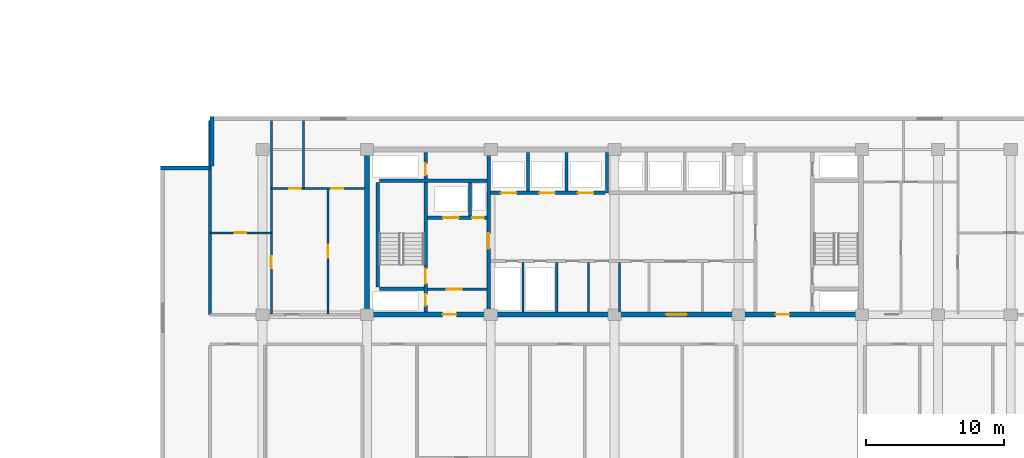
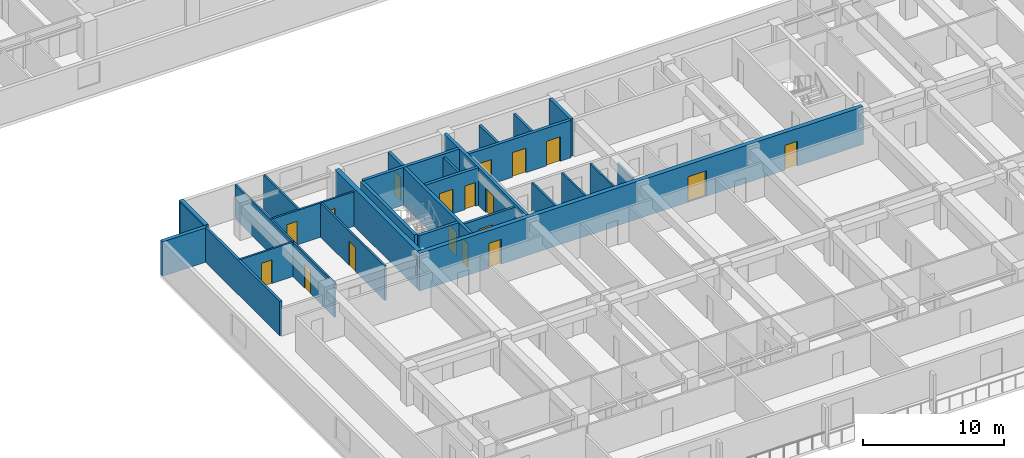
# One storey, part 6 of 23: 26 walls, 18 doors, 18 openings.
"""IFC4 building model written with IfcOpenShell, lengths in metres."""

from ifc_helpers import new_model, si_unit, direction, frame, frame_2d, origin, place, context, subcontext, project, spatial, rectangle, extrude, material, layer, layer_set, type_object, element, fill, save


model = new_model("IFC4")

# Units and contexts
model_context = context("Model", 3, precision=1e-05, world=origin(), true_north=direction((0.0, 1.0)))
body_context = subcontext(model_context, "Body", "Model", "MODEL_VIEW")
ifc_project = project(units=[si_unit("LENGTHUNIT", "METRE"), si_unit("AREAUNIT", "SQUARE_METRE"), si_unit("VOLUMEUNIT", "CUBIC_METRE"), si_unit("PLANEANGLEUNIT", "RADIAN"), si_unit("MASSUNIT", "GRAM", prefix="KILO")], contexts=[model_context])

# Site, building, storey
site_placement = place(None, origin())
site = spatial("IfcSite", under=ifc_project, at=site_placement, CompositionType="ELEMENT")
building_placement = place(site_placement, origin())
building = spatial("IfcBuilding", under=site, at=building_placement, Name="Korimba Cascade Residences", CompositionType="ELEMENT")
storey_placement = place(building_placement, frame((0.0, 0.0, 27.25)))
storey = spatial("IfcBuildingStorey", under=building, at=storey_placement, Name="L06", CompositionType="ELEMENT", Elevation=27.25)

# Walls
ifc_material_1 = material(Name="Precast concrete C40/50", Category="concrete")
ifc_layer_1 = layer(ifc_material_1, 0.300048828125)
ifc_layer_set_1 = layer_set([ifc_layer_1], Name="Precast concrete C40/50")
wall_type_1 = type_object("IfcWallType", Name="EW-STONE-300", PredefinedType="STANDARD", material=ifc_layer_set_1)
wall_1_placement = place(storey_placement, frame((70.85009765625, 32.800048828125, 0.0), z_axis=(0.0, 0.0, 1.0), x_axis=(0.0, -1.0, 0.0)))
element("IfcWall", 1, at=wall_1_placement, inside=storey, type_object=wall_type_1, Name="L06 T2 Perimeter Stone Wall E07", PredefinedType="STANDARD", context=body_context, shape_type="SweptSolid", body=[
    extrude(rectangle(XDim=3.60009765625, YDim=0.300048828125, at=frame_2d((1.800048828125, 0.0))), origin(), (0.0, 0.0, 1.0), 2.969970703125),
])
wall_2_placement = place(storey_placement, frame((70.699951171875, 29.050048828125, 0.0), z_axis=(0.0, 0.0, 1.0), x_axis=(-1.0, 0.0, 0.0)))
element("IfcWall", 2, at=wall_2_placement, inside=storey, type_object=wall_type_1, Name="L06 T2 Perimeter Stone Wall E08", PredefinedType="STANDARD", context=body_context, shape_type="SweptSolid", body=[
    extrude(rectangle(XDim=3.599853515625, YDim=0.300048828125, at=frame_2d((1.7998046875, 0.0))), origin(), (0.0, 0.0, 1.0), 2.969970703125),
])
ifc_material_2 = material(Name="Concrete C65/80", Category="concrete")
ifc_layer_2 = layer(ifc_material_2, 0.35009765625)
ifc_layer_set_2 = layer_set([ifc_layer_2], Name="Concrete C65/80")
wall_type_2 = type_object("IfcWallType", Name="WAL-CORE-350", PredefinedType="SHEAR", material=ifc_layer_set_2)
wall_3_placement = place(storey_placement, frame((82.10009765625, 18.574951171875, 0.0), z_axis=(0.0, 0.0, 1.0), x_axis=(0.0, 1.0, 0.0)))
element("IfcWall", 3, at=wall_3_placement, inside=storey, type_object=wall_type_2, Name="L06 Core Shear Wall CW-L06-T2-W", PredefinedType="SHEAR", context=body_context, shape_type="SweptSolid", body=[
    extrude(rectangle(XDim=11.650146484375, YDim=0.35009765625, at=frame_2d((5.8251953125, 0.0))), origin(), (0.0, 0.0, 1.0), 3.25),
])

# Wall, openings, doors
wall_4_placement = place(storey_placement, frame((81.925048828125, 18.39990234375, 0.0), z_axis=(0.0, 0.0, 1.0), x_axis=(1.0, 0.0, 0.0)))
wall_4 = element("IfcWall", 4, at=wall_4_placement, inside=storey, type_object=wall_type_2, Name="L06 Core Shear Wall CW-L06-T2-S", PredefinedType="SHEAR", context=body_context, shape_type="SweptSolid", body=[
    extrude(rectangle(XDim=36.264892578125, YDim=0.35009765625, at=frame_2d((18.13232421875, 0.0))), origin(), (0.0, 0.0, 1.0), 3.25),
])
opening_1_placement = place(wall_4_placement, frame((5.675048828125, 0.0, 0.0)))
opening_1 = element("IfcOpeningElement", 5, at=opening_1_placement, cuts=wall_4, Name="Opening D-FD5", PredefinedType="OPENING", context=body_context, shape_type="SweptSolid", body=[
    extrude(rectangle(XDim=1.0, YDim=2.14990234375, at=frame_2d((0.5, 1.074951171875))), frame((0.0, 0.18505859375, 0.0), z_axis=(0.0, -1.0, 0.0), x_axis=(1.0, 0.0, 0.0)), (0.0, 0.0, 1.0), 0.3701171875),
])
opening_2_placement = place(wall_4_placement, frame((21.925048828125, 0.0, 0.0)))
opening_2 = element("IfcOpeningElement", 6, at=opening_2_placement, cuts=wall_4, Name="Opening D-FD8", PredefinedType="OPENING", context=body_context, shape_type="SweptSolid", body=[
    extrude(rectangle(XDim=1.5, YDim=2.199951171875, at=frame_2d((0.75, 1.10009765625))), frame((0.0, 0.18505859375, 0.0), z_axis=(0.0, -1.0, 0.0), x_axis=(1.0, 0.0, 0.0)), (0.0, 0.0, 1.0), 0.3701171875),
])
opening_3_placement = place(wall_4_placement, frame((29.875, 0.0, 0.0)))
opening_3 = element("IfcOpeningElement", 7, at=opening_3_placement, cuts=wall_4, Name="Opening D-FD5", PredefinedType="OPENING", context=body_context, shape_type="SweptSolid", body=[
    extrude(rectangle(XDim=1.0, YDim=2.14990234375, at=frame_2d((0.5, 1.074951171875))), frame((0.0, 0.18505859375, 0.0), z_axis=(0.0, -1.0, 0.0), x_axis=(1.0, 0.0, 0.0)), (0.0, 0.0, 1.0), 0.3701171875),
])
ifc_material_3 = material(Name="Fire-Rated Acoustic Timber Vestibule Door", Category="wood")
door_type_1 = type_object("IfcDoorType", Name="DR-FD90-1000", OperationType="NOTDEFINED", PredefinedType="DOOR", material=ifc_material_3)
door_1_placement = place(opening_1_placement, origin())
door_1 = element("IfcDoor", 8, at=door_1_placement, inside=storey, type_object=door_type_1, Name="L06 T2 West Core Vestibule Fire Door", OperationType="SINGLE_SWING_RIGHT", OverallHeight=2.14990234375, OverallWidth=1.0, PredefinedType="DOOR", context=body_context, shape_type="SweptSolid", body=[
    extrude(rectangle(XDim=1.0, YDim=2.14990234375, at=frame_2d((0.5, 1.074951171875))), frame((0.0, 0.02490234375, 0.0), z_axis=(0.0, -1.0, 0.0), x_axis=(1.0, 0.0, 0.0)), (0.0, 0.0, 1.0), 0.050048828125),
])
fill(opening_1, door_1)
door_2_placement = place(opening_3_placement, origin())
door_2 = element("IfcDoor", 9, at=door_2_placement, inside=storey, type_object=door_type_1, Name="L06 T2 East Stair Vestibule Fire Door", OperationType="SINGLE_SWING_LEFT", OverallHeight=2.14990234375, OverallWidth=1.0, PredefinedType="DOOR", context=body_context, shape_type="SweptSolid", body=[
    extrude(rectangle(XDim=1.0, YDim=2.14990234375, at=frame_2d((0.5, 1.074951171875))), frame((0.0, 0.02490234375, 0.0), z_axis=(0.0, -1.0, 0.0), x_axis=(1.0, 0.0, 0.0)), (0.0, 0.0, 1.0), 0.050048828125),
])
fill(opening_3, door_2)
ifc_material_4 = material(Name="Fire-Rated Glazed Lift Lobby Double Door", Category="glass")
door_type_2 = type_object("IfcDoorType", Name="DR-FD90-1500", OperationType="NOTDEFINED", PredefinedType="DOOR", material=ifc_material_4)
door_3_placement = place(opening_2_placement, origin())
door_3 = element("IfcDoor", 10, at=door_3_placement, inside=storey, type_object=door_type_2, Name="L06 T2 Lift Lobby Fire Door", OperationType="DOUBLE_DOOR_SINGLE_SWING", OverallHeight=2.199951171875, OverallWidth=1.5, PredefinedType="DOOR", context=body_context, shape_type="SweptSolid", body=[
    extrude(rectangle(XDim=1.5, YDim=2.199951171875, at=frame_2d((0.75, 1.10009765625))), frame((0.0, 0.02490234375, 0.0), z_axis=(0.0, -1.0, 0.0), x_axis=(1.0, 0.0, 0.0)), (0.0, 0.0, 1.0), 0.050048828125),
])
fill(opening_2, door_3)

# Walls
ifc_layer_3 = layer(ifc_material_1, 0.199951171875)
ifc_layer_set_3 = layer_set([ifc_layer_3], Name="Precast concrete C40/50")
wall_type_3 = type_object("IfcWallType", Name="WAL-IT-200", PredefinedType="PARTITIONING", material=ifc_layer_set_3)
wall_5_placement = place(storey_placement, frame((70.699951171875, 18.39990234375, 0.0), z_axis=(0.0, 0.0, 1.0), x_axis=(0.0, 1.0, 0.0)))
element("IfcWall", 11, at=wall_5_placement, inside=storey, type_object=wall_type_3, Name="L06 Partition Wall WAL-L06-T2-FW-WL", PredefinedType="PARTITIONING", context=body_context, shape_type="SweptSolid", body=[
    extrude(rectangle(XDim=14.10009765625, YDim=0.199951171875, at=frame_2d((7.050048828125, 0.0))), origin(), (0.0, 0.0, 1.0), 2.969970703125),
])
ifc_material_5 = material(Name="Insulated Acoustic Stud Partition", Category="gypsum")
ifc_layer_4 = layer(ifc_material_5, 0.14990234375)
ifc_layer_set_4 = layer_set([ifc_layer_4], Name="Insulated Acoustic Stud Partition")
wall_type_4 = type_object("IfcWallType", Name="WAL-PART-150", PredefinedType="PARTITIONING", material=ifc_layer_set_4)
for number, where, z_axis, x_axis, name in (
    (12, (93.449951171875, 18.60009765625, 0.0), (0.0, 0.0, 1.0), (0.0, 1.0, 0.0), "L06 Partition Wall CW-L06-T2-ERDIV"),
    (13, (95.89990234375, 18.60009765625, 0.0), (0.0, 0.0, 1.0), (0.0, 1.0, 0.0), "L06 Partition Wall CW-L06-T2-PRDIV"),
    (14, (98.199951171875, 18.60009765625, 0.0), (0.0, 0.0, 1.0), (0.0, 1.0, 0.0), "L06 Partition Wall CW-L06-T2-CA1W1"),
):
    element("IfcWall", number, at=place(storey_placement, frame(where, z_axis=z_axis, x_axis=x_axis)), inside=storey, type_object=wall_type_4, Name=name, PredefinedType="PARTITIONING", context=body_context, shape_type="SweptSolid", body=[
        extrude(rectangle(XDim=3.599853515625, YDim=0.14990234375, at=frame_2d((1.7998046875, 0.0))), origin(), (0.0, 0.0, 1.0), 2.969970703125),
    ])
wall_6_placement = place(storey_placement, frame((100.449951171875, 18.60009765625, 0.0), z_axis=(0.0, 0.0, 1.0), x_axis=(0.0, 1.0, 0.0)))
element("IfcWall", 15, at=wall_6_placement, inside=storey, type_object=wall_type_4, Name="L06 Partition Wall CW-L06-T2-CA1W2", PredefinedType="PARTITIONING", context=body_context, shape_type="SweptSolid", body=[
    extrude(rectangle(XDim=3.599853515625, YDim=0.14990234375, at=frame_2d((1.7998046875, 0.0))), origin(), (0.0, 0.0, 1.0), 2.219970703125),
])

# Wall, opening, door
wall_7_placement = place(storey_placement, frame((70.699951171875, 24.35009765625, 0.0), z_axis=(0.0, 0.0, 1.0), x_axis=(1.0, 0.0, 0.0)))
wall_7 = element("IfcWall", 16, at=wall_7_placement, inside=storey, type_object=wall_type_4, Name="L06 Partition Wall WAL-L06-T2-FW-STH", PredefinedType="PARTITIONING", context=body_context, shape_type="SweptSolid", body=[
    extrude(rectangle(XDim=4.449951171875, YDim=0.14990234375, at=frame_2d((2.22509765625, 0.0))), origin(), (0.0, 0.0, 1.0), 2.969970703125),
])
opening_4_placement = place(wall_7_placement, frame((1.804931640625, 0.0, 0.0)))
opening_4 = element("IfcOpeningElement", 17, at=opening_4_placement, cuts=wall_7, Name="Opening D-BT1", PredefinedType="OPENING", context=body_context, shape_type="SweptSolid", body=[
    extrude(rectangle(XDim=0.840087890625, YDim=2.0400390625, at=frame_2d((0.419921875, 1.02001953125))), frame((0.0, 0.0849609375, 0.0), z_axis=(0.0, -1.0, 0.0), x_axis=(1.0, 0.0, 0.0)), (0.0, 0.0, 1.0), 0.169921875),
])
ifc_material_6 = material(Name="Moisture-Resistant Bathroom Timber Door", Category="wood")
door_type_3 = type_object("IfcDoorType", Name="DR-INT-850", OperationType="NOTDEFINED", PredefinedType="DOOR", material=ifc_material_6)
door_4_placement = place(opening_4_placement, origin())
door_4 = element("IfcDoor", 18, at=door_4_placement, inside=storey, type_object=door_type_3, Name="L06-T2-FW Dressing Store Door", OperationType="SINGLE_SWING_LEFT", OverallHeight=2.0400390625, OverallWidth=0.840087890625, PredefinedType="DOOR", context=body_context, shape_type="SweptSolid", body=[
    extrude(rectangle(XDim=0.840087890625, YDim=2.0400390625, at=frame_2d((0.419921875, 1.02001953125))), frame((0.0, 0.02490234375, 0.0), z_axis=(0.0, -1.0, 0.0), x_axis=(1.0, 0.0, 0.0)), (0.0, 0.0, 1.0), 0.050048828125),
])
fill(opening_4, door_4)

wall_8_placement = place(storey_placement, frame((75.14990234375, 18.449951171875, 0.0), z_axis=(0.0, 0.0, 1.0), x_axis=(0.0, 1.0, 0.0)))
wall_8 = element("IfcWall", 19, at=wall_8_placement, inside=storey, type_object=wall_type_4, Name="L06 Partition Wall WAL-L06-T2-FW-STV", PredefinedType="PARTITIONING", context=body_context, shape_type="SweptSolid", body=[
    extrude(rectangle(XDim=14.050048828125, YDim=0.14990234375, at=frame_2d((7.02490234375, 0.0))), origin(), (0.0, 0.0, 1.0), 2.969970703125),
])
opening_5_placement = place(wall_8_placement, frame((3.320068359375, 0.0, 0.0)))
opening_5 = element("IfcOpeningElement", 20, at=opening_5_placement, cuts=wall_8, Name="Opening D-IN2", PredefinedType="OPENING", context=body_context, shape_type="SweptSolid", body=[
    extrude(rectangle(XDim=0.8798828125, YDim=2.06005859375, at=frame_2d((0.43994140625, 1.030029296875))), frame((0.0, 0.0849609375, 0.0), z_axis=(0.0, -1.0, 0.0), x_axis=(1.0, 0.0, 0.0)), (0.0, 0.0, 1.0), 0.169921875),
])
ifc_material_7 = material(Name="Acoustic Timber Bedroom Door", Category="wood")
door_type_4 = type_object("IfcDoorType", Name="DR-INT-880", OperationType="NOTDEFINED", PredefinedType="DOOR", material=ifc_material_7)
door_5_placement = place(opening_5_placement, origin())
door_5 = element("IfcDoor", 21, at=door_5_placement, inside=storey, type_object=door_type_4, Name="L06-T2-FW Study Door", OperationType="SINGLE_SWING_RIGHT", OverallHeight=2.06005859375, OverallWidth=0.8798828125, PredefinedType="DOOR", context=body_context, shape_type="SweptSolid", body=[
    extrude(rectangle(XDim=0.8798828125, YDim=2.06005859375, at=frame_2d((0.43994140625, 1.030029296875))), frame((0.0, 0.02490234375, 0.0), z_axis=(0.0, -1.0, 0.0), x_axis=(1.0, 0.0, 0.0)), (0.0, 0.0, 1.0), 0.050048828125),
])
fill(opening_5, door_5)

wall_9_placement = place(storey_placement, frame((79.27001953125, 18.449951171875, 0.0), z_axis=(0.0, 0.0, 1.0), x_axis=(0.0, 1.0, 0.0)))
wall_9 = element("IfcWall", 22, at=wall_9_placement, inside=storey, type_object=wall_type_4, Name="L06 Partition Wall WAL-L06-T2-FW-VS", PredefinedType="PARTITIONING", context=body_context, shape_type="SweptSolid", body=[
    extrude(rectangle(XDim=9.1201171875, YDim=0.14990234375, at=frame_2d((4.56005859375, 0.0))), origin(), (0.0, 0.0, 1.0), 2.969970703125),
])
opening_6_placement = place(wall_9_placement, frame((4.10009765625, 0.0, 0.0)))
opening_6 = element("IfcOpeningElement", 23, at=opening_6_placement, cuts=wall_9, Name="Opening D-IN1", PredefinedType="OPENING", context=body_context, shape_type="SweptSolid", body=[
    extrude(rectangle(XDim=0.919921875, YDim=2.080078125, at=frame_2d((0.4599609375, 1.0400390625))), frame((0.0, 0.0849609375, 0.0), z_axis=(0.0, -1.0, 0.0), x_axis=(1.0, 0.0, 0.0)), (0.0, 0.0, 1.0), 0.169921875),
])
ifc_material_8 = material(Name="Acoustic Timber Living Door", Category="wood")
door_type_5 = type_object("IfcDoorType", Name="DR-INT-920", OperationType="NOTDEFINED", PredefinedType="DOOR", material=ifc_material_8)
door_6_placement = place(opening_6_placement, origin())
door_6 = element("IfcDoor", 24, at=door_6_placement, inside=storey, type_object=door_type_5, Name="L06-T2-FW Living Door", OperationType="SINGLE_SWING_LEFT", OverallHeight=2.080078125, OverallWidth=0.919921875, PredefinedType="DOOR", context=body_context, shape_type="SweptSolid", body=[
    extrude(rectangle(XDim=0.919921875, YDim=2.080078125, at=frame_2d((0.4599609375, 1.0400390625))), frame((0.0, 0.02490234375, 0.0), z_axis=(0.0, -1.0, 0.0), x_axis=(1.0, 0.0, 0.0)), (0.0, 0.0, 1.0), 0.050048828125),
])
fill(opening_6, door_6)

# Wall
wall_10_placement = place(storey_placement, frame((77.5, 27.570068359375, 0.0), z_axis=(0.0, 0.0, 1.0), x_axis=(0.0, 1.0, 0.0)))
element("IfcWall", 25, at=wall_10_placement, inside=storey, type_object=wall_type_4, Name="L06 Partition Wall WAL-L06-T2-FW-VN", PredefinedType="PARTITIONING", context=body_context, shape_type="SweptSolid", body=[
    extrude(rectangle(XDim=4.929931640625, YDim=0.14990234375, at=frame_2d((2.46484375, 0.0))), origin(), (0.0, 0.0, 1.0), 2.969970703125),
])

# Wall, openings, doors
wall_11_placement = place(storey_placement, frame((75.169921875, 27.570068359375, 0.0), z_axis=(0.0, 0.0, 1.0), x_axis=(1.0, 0.0, 0.0)))
wall_11 = element("IfcWall", 26, at=wall_11_placement, inside=storey, type_object=wall_type_4, Name="L06 Partition Wall WAL-L06-T2-FW-H", PredefinedType="PARTITIONING", context=body_context, shape_type="SweptSolid", body=[
    extrude(rectangle(XDim=6.760009765625, YDim=0.14990234375, at=frame_2d((3.3798828125, 0.0))), origin(), (0.0, 0.0, 1.0), 2.969970703125),
])
opening_7_placement = place(wall_11_placement, frame((1.266357421875, 0.0, 0.0)))
opening_7 = element("IfcOpeningElement", 27, at=opening_7_placement, cuts=wall_11, Name="Opening D-BT1", PredefinedType="OPENING", context=body_context, shape_type="SweptSolid", body=[
    extrude(rectangle(XDim=0.840087890625, YDim=2.0400390625, at=frame_2d((0.419921875, 1.02001953125))), frame((0.0, 0.0849609375, 0.0), z_axis=(0.0, -1.0, 0.0), x_axis=(1.0, 0.0, 0.0)), (0.0, 0.0, 1.0), 0.169921875),
])
opening_8_placement = place(wall_11_placement, frame((4.320068359375, 0.0, 0.0)))
opening_8 = element("IfcOpeningElement", 28, at=opening_8_placement, cuts=wall_11, Name="Opening D-IN2", PredefinedType="OPENING", context=body_context, shape_type="SweptSolid", body=[
    extrude(rectangle(XDim=0.8798828125, YDim=2.06005859375, at=frame_2d((0.43994140625, 1.030029296875))), frame((0.0, 0.0849609375, 0.0), z_axis=(0.0, -1.0, 0.0), x_axis=(1.0, 0.0, 0.0)), (0.0, 0.0, 1.0), 0.169921875),
])
door_7_placement = place(opening_7_placement, origin())
door_7 = element("IfcDoor", 29, at=door_7_placement, inside=storey, type_object=door_type_3, Name="L06-T2-FW Bathroom Door", OperationType="SINGLE_SWING_RIGHT", OverallHeight=2.0400390625, OverallWidth=0.840087890625, PredefinedType="DOOR", context=body_context, shape_type="SweptSolid", body=[
    extrude(rectangle(XDim=0.840087890625, YDim=2.0400390625, at=frame_2d((0.419921875, 1.02001953125))), frame((0.0, 0.02490234375, 0.0), z_axis=(0.0, -1.0, 0.0), x_axis=(1.0, 0.0, 0.0)), (0.0, 0.0, 1.0), 0.050048828125),
])
fill(opening_7, door_7)
door_8_placement = place(opening_8_placement, origin())
door_8 = element("IfcDoor", 30, at=door_8_placement, inside=storey, type_object=door_type_4, Name="L06-T2-FW Bedroom Door", OperationType="SINGLE_SWING_LEFT", OverallHeight=2.06005859375, OverallWidth=0.8798828125, PredefinedType="DOOR", context=body_context, shape_type="SweptSolid", body=[
    extrude(rectangle(XDim=0.8798828125, YDim=2.06005859375, at=frame_2d((0.43994140625, 1.030029296875))), frame((0.0, 0.02490234375, 0.0), z_axis=(0.0, -1.0, 0.0), x_axis=(1.0, 0.0, 0.0)), (0.0, 0.0, 1.0), 0.050048828125),
])
fill(opening_8, door_8)

# Wall
ifc_material_9 = material(Name="Concrete C40/50", Category="concrete")
ifc_layer_5 = layer(ifc_material_9, 0.199951171875)
ifc_layer_set_5 = layer_set([ifc_layer_5], Name="Concrete C40/50")
wall_type_5 = type_object("IfcWallType", Name="WAL-PART-200", PredefinedType="PARTITIONING", material=ifc_layer_set_5)
wall_12_placement = place(storey_placement, frame((89.60009765625, 25.580078125, 0.0), z_axis=(0.0, 0.0, 1.0), x_axis=(0.0, 1.0, 0.0)))
element("IfcWall", 31, at=wall_12_placement, inside=storey, type_object=wall_type_5, Name="L06 Partition Wall CW-L06-T2-FFLDIV", PredefinedType="PARTITIONING", context=body_context, shape_type="SweptSolid", body=[
    extrude(rectangle(XDim=2.419921875, YDim=0.199951171875, at=frame_2d((1.2099609375, 0.0))), origin(), (0.0, 0.0, 1.0), 2.969970703125),
])

# Wall, opening, door
wall_13_placement = place(storey_placement, frame((86.5, 20.25, 0.0), z_axis=(0.0, 0.0, 1.0), x_axis=(1.0, 0.0, 0.0)))
wall_13 = element("IfcWall", 32, at=wall_13_placement, inside=storey, type_object=wall_type_5, Name="L06 Partition Wall CW-L06-T2-FFLS", PredefinedType="PARTITIONING", context=body_context, shape_type="SweptSolid", body=[
    extrude(rectangle(XDim=4.320068359375, YDim=0.199951171875, at=frame_2d((2.16015625, 0.0))), origin(), (0.0, 0.0, 1.0), 2.969970703125),
])
opening_9_placement = place(wall_13_placement, frame((1.39990234375, 0.0, 0.0)))
opening_9 = element("IfcOpeningElement", 33, at=opening_9_placement, cuts=wall_13, Name="Opening D-FD1", PredefinedType="OPENING", context=body_context, shape_type="SweptSolid", body=[
    extrude(rectangle(XDim=1.10009765625, YDim=2.10009765625, at=frame_2d((0.550048828125, 1.050048828125))), frame((0.0, 0.10986328125, 0.0), z_axis=(0.0, -1.0, 0.0), x_axis=(1.0, 0.0, 0.0)), (0.0, 0.0, 1.0), 0.219970703125),
])
ifc_material_10 = material(Name="Fire-Rated Steel Core Door", Category="steel")
door_type_6 = type_object("IfcDoorType", Name="DR-FD120-1100", OperationType="NOTDEFINED", PredefinedType="DOOR", material=ifc_material_10)
door_9_placement = place(opening_9_placement, origin())
door_9 = element("IfcDoor", 34, at=door_9_placement, inside=storey, type_object=door_type_6, Name="L06 T2 Firefighting Lobby Door", OperationType="SINGLE_SWING_RIGHT", OverallHeight=2.10009765625, OverallWidth=1.10009765625, PredefinedType="DOOR", context=body_context, shape_type="SweptSolid", body=[
    extrude(rectangle(XDim=1.10009765625, YDim=2.10009765625, at=frame_2d((0.550048828125, 1.050048828125))), frame((0.0, 0.02490234375, 0.0), z_axis=(0.0, -1.0, 0.0), x_axis=(1.0, 0.0, 0.0)), (0.0, 0.0, 1.0), 0.050048828125),
])
fill(opening_9, door_9)

# Walls
for number, where, z_axis, x_axis, name in (
    (35, (93.800048828125, 27.3798828125, 0.0), (0.0, 0.0, 1.0), (0.0, 1.0, 0.0), "L06 Partition Wall CW-L06-T2-B1D1"),
    (36, (96.60009765625, 27.3798828125, 0.0), (0.0, 0.0, 1.0), (0.0, 1.0, 0.0), "L06 Partition Wall CW-L06-T2-B1D2"),
):
    element("IfcWall", number, at=place(storey_placement, frame(where, z_axis=z_axis, x_axis=x_axis)), inside=storey, type_object=wall_type_5, Name=name, PredefinedType="PARTITIONING", context=body_context, shape_type="SweptSolid", body=[
        extrude(rectangle(XDim=2.820068359375, YDim=0.199951171875, at=frame_2d((1.41015625, 0.0))), origin(), (0.0, 0.0, 1.0), 2.969970703125),
    ])
ifc_material_11 = material(Name="Concrete C50/60", Category="concrete")
ifc_layer_6 = layer(ifc_material_11, 0.25)
ifc_layer_set_6 = layer_set([ifc_layer_6], Name="Concrete C50/60")
wall_type_6 = type_object("IfcWallType", Name="WAL-SHAFT-250", PredefinedType="SHEAR", material=ifc_layer_set_6)
wall_14_placement = place(storey_placement, frame((82.875, 20.39990234375, 0.0), z_axis=(0.0, 0.0, 1.0), x_axis=(0.0, 1.0, 0.0)))
element("IfcWall", 37, at=wall_14_placement, inside=storey, type_object=wall_type_6, Name="L06 Core Shear Wall CW-L06-T2-STE1W", PredefinedType="SHEAR", context=body_context, shape_type="SweptSolid", body=[
    extrude(rectangle(XDim=7.60009765625, YDim=0.25, at=frame_2d((3.800048828125, 0.0))), origin(), (0.0, 0.0, 1.0), 3.25),
])

# Wall, openings, doors
wall_15_placement = place(storey_placement, frame((86.364990234375, 18.60009765625, 0.0), z_axis=(0.0, 0.0, 1.0), x_axis=(0.0, 1.0, 0.0)))
wall_15 = element("IfcWall", 38, at=wall_15_placement, inside=storey, type_object=wall_type_6, Name="L06 Core Shear Wall CW-L06-T2-STE1E", PredefinedType="SHEAR", context=body_context, shape_type="SweptSolid", body=[
    extrude(rectangle(XDim=11.599853515625, YDim=0.25, at=frame_2d((5.7998046875, 0.0))), origin(), (0.0, 0.0, 1.0), 3.25),
])
opening_10_placement = place(wall_15_placement, frame((0.449951171875, 0.0, 0.0)))
opening_10 = element("IfcOpeningElement", 39, at=opening_10_placement, cuts=wall_15, Name="Opening D-RS1", PredefinedType="OPENING", context=body_context, shape_type="SweptSolid", body=[
    extrude(rectangle(XDim=0.85009765625, YDim=2.050048828125, at=frame_2d((0.425048828125, 1.02490234375))), frame((0.0, 0.135009765625, 0.0), z_axis=(0.0, -1.0, 0.0), x_axis=(1.0, 0.0, 0.0)), (0.0, 0.0, 1.0), 0.27001953125),
])
opening_11_placement = place(wall_15_placement, frame((2.050048828125, 0.0, 0.0)))
opening_11 = element("IfcOpeningElement", 40, at=opening_11_placement, cuts=wall_15, Name="Opening D-FD1", PredefinedType="OPENING", context=body_context, shape_type="SweptSolid", body=[
    extrude(rectangle(XDim=1.10009765625, YDim=2.10009765625, at=frame_2d((0.550048828125, 1.050048828125))), frame((0.0, 0.135009765625, 0.0), z_axis=(0.0, -1.0, 0.0), x_axis=(1.0, 0.0, 0.0)), (0.0, 0.0, 1.0), 0.27001953125),
])
opening_12_placement = place(wall_15_placement, frame((9.949951171875, 0.0, 0.0)))
opening_12 = element("IfcOpeningElement", 41, at=opening_12_placement, cuts=wall_15, Name="Opening D-RS1", PredefinedType="OPENING", context=body_context, shape_type="SweptSolid", body=[
    extrude(rectangle(XDim=0.85009765625, YDim=2.050048828125, at=frame_2d((0.425048828125, 1.02490234375))), frame((0.0, 0.135009765625, 0.0), z_axis=(0.0, -1.0, 0.0), x_axis=(1.0, 0.0, 0.0)), (0.0, 0.0, 1.0), 0.27001953125),
])
door_10_placement = place(opening_11_placement, origin())
door_10 = element("IfcDoor", 42, at=door_10_placement, inside=storey, type_object=door_type_6, Name="L06 Fire Stair ST-E1 Door", OperationType="SINGLE_SWING_LEFT", OverallHeight=2.10009765625, OverallWidth=1.10009765625, PredefinedType="DOOR", context=body_context, shape_type="SweptSolid", body=[
    extrude(rectangle(XDim=1.10009765625, YDim=2.10009765625, at=frame_2d((0.550048828125, 1.050048828125))), frame((0.0, 0.02490234375, 0.0), z_axis=(0.0, -1.0, 0.0), x_axis=(1.0, 0.0, 0.0)), (0.0, 0.0, 1.0), 0.050048828125),
])
fill(opening_11, door_10)
ifc_material_12 = material(Name="Fire-Rated Steel Riser Access Door", Category="steel")
door_type_7 = type_object("IfcDoorType", Name="DR-FD60-850", OperationType="NOTDEFINED", PredefinedType="DOOR", material=ifc_material_12)
door_11_placement = place(opening_10_placement, origin())
door_11 = element("IfcDoor", 43, at=door_11_placement, inside=storey, type_object=door_type_7, Name="L06 T2 Hydrant Riser Door", OperationType="SINGLE_SWING_RIGHT", OverallHeight=2.050048828125, OverallWidth=0.85009765625, PredefinedType="DOOR", context=body_context, shape_type="SweptSolid", body=[
    extrude(rectangle(XDim=0.85009765625, YDim=2.050048828125, at=frame_2d((0.425048828125, 1.02490234375))), frame((0.0, 0.02490234375, 0.0), z_axis=(0.0, -1.0, 0.0), x_axis=(1.0, 0.0, 0.0)), (0.0, 0.0, 1.0), 0.050048828125),
])
fill(opening_10, door_11)
door_12_placement = place(opening_12_placement, origin())
door_12 = element("IfcDoor", 44, at=door_12_placement, inside=storey, type_object=door_type_7, Name="L06 T2 Smoke Shaft Door", OperationType="SINGLE_SWING_RIGHT", OverallHeight=2.050048828125, OverallWidth=0.85009765625, PredefinedType="DOOR", context=body_context, shape_type="SweptSolid", body=[
    extrude(rectangle(XDim=0.85009765625, YDim=2.050048828125, at=frame_2d((0.425048828125, 1.02490234375))), frame((0.0, 0.02490234375, 0.0), z_axis=(0.0, -1.0, 0.0), x_axis=(1.0, 0.0, 0.0)), (0.0, 0.0, 1.0), 0.050048828125),
])
fill(opening_12, door_12)

# Walls
wall_16_placement = place(storey_placement, frame((83.0, 20.27490234375, 0.0), z_axis=(0.0, 0.0, 1.0), x_axis=(1.0, 0.0, 0.0)))
element("IfcWall", 45, at=wall_16_placement, inside=storey, type_object=wall_type_6, Name="L06 Core Shear Wall CW-L06-T2-STE1S", PredefinedType="SHEAR", context=body_context, shape_type="SweptSolid", body=[
    extrude(rectangle(XDim=3.239990234375, YDim=0.25, at=frame_2d((1.6201171875, 0.0))), origin(), (0.0, 0.0, 1.0), 3.25),
])
wall_17_placement = place(storey_placement, frame((83.0, 28.125, 0.0), z_axis=(0.0, 0.0, 1.0), x_axis=(1.0, 0.0, 0.0)))
element("IfcWall", 46, at=wall_17_placement, inside=storey, type_object=wall_type_6, Name="L06 Core Shear Wall CW-L06-T2-STE1N", PredefinedType="SHEAR", context=body_context, shape_type="SweptSolid", body=[
    extrude(rectangle(XDim=7.820068359375, YDim=0.25, at=frame_2d((3.91015625, 0.0))), origin(), (0.0, 0.0, 1.0), 3.25),
])

# Wall, openings, doors
wall_18_placement = place(storey_placement, frame((86.5, 25.449951171875, 0.0), z_axis=(0.0, 0.0, 1.0), x_axis=(1.0, 0.0, 0.0)))
wall_18 = element("IfcWall", 47, at=wall_18_placement, inside=storey, type_object=wall_type_6, Name="L06 Core Shear Wall CW-L06-T2-FFLN", PredefinedType="SHEAR", context=body_context, shape_type="SweptSolid", body=[
    extrude(rectangle(XDim=4.320068359375, YDim=0.25, at=frame_2d((2.16015625, 0.0))), origin(), (0.0, 0.0, 1.0), 3.25),
])
opening_13_placement = place(wall_18_placement, frame((1.139892578125, 0.0, 0.0)))
opening_13 = element("IfcOpeningElement", 48, at=opening_13_placement, cuts=wall_18, Name="Opening LD-01", PredefinedType="OPENING", context=body_context, shape_type="SweptSolid", body=[
    extrude(rectangle(XDim=1.1201171875, YDim=2.1201171875, at=frame_2d((0.56005859375, 1.06005859375))), frame((0.0, 0.135009765625, 0.0), z_axis=(0.0, -1.0, 0.0), x_axis=(1.0, 0.0, 0.0)), (0.0, 0.0, 1.0), 0.27001953125),
])
opening_14_placement = place(wall_18_placement, frame((3.25, 0.0, 0.0)))
opening_14 = element("IfcOpeningElement", 49, at=opening_14_placement, cuts=wall_18, Name="Opening D-RS1", PredefinedType="OPENING", context=body_context, shape_type="SweptSolid", body=[
    extrude(rectangle(XDim=0.85009765625, YDim=2.050048828125, at=frame_2d((0.425048828125, 1.02490234375))), frame((0.0, 0.135009765625, 0.0), z_axis=(0.0, -1.0, 0.0), x_axis=(1.0, 0.0, 0.0)), (0.0, 0.0, 1.0), 0.27001953125),
])
door_13_placement = place(opening_14_placement, origin())
door_13 = element("IfcDoor", 50, at=door_13_placement, inside=storey, type_object=door_type_7, Name="L06 T2 Pressurisation Riser Door", OperationType="SINGLE_SWING_LEFT", OverallHeight=2.050048828125, OverallWidth=0.85009765625, PredefinedType="DOOR", context=body_context, shape_type="SweptSolid", body=[
    extrude(rectangle(XDim=0.85009765625, YDim=2.050048828125, at=frame_2d((0.425048828125, 1.02490234375))), frame((0.0, 0.02490234375, 0.0), z_axis=(0.0, -1.0, 0.0), x_axis=(1.0, 0.0, 0.0)), (0.0, 0.0, 1.0), 0.050048828125),
])
fill(opening_14, door_13)
ifc_material_13 = material(Name="Stainless Steel Lift Landing Sliding Door", Category="steel")
door_type_8 = type_object("IfcDoorType", Name="DR-LIFT-1100", OperationType="NOTDEFINED", PredefinedType="DOOR", material=ifc_material_13)
door_14_placement = place(opening_13_placement, origin())
door_14 = element("IfcDoor", 51, at=door_14_placement, inside=storey, type_object=door_type_8, Name="L06 Firefighting Lift Landing Door FFL-E1", OperationType="SLIDING_TO_RIGHT", OverallHeight=2.1201171875, OverallWidth=1.1201171875, PredefinedType="DOOR", context=body_context, shape_type="SweptSolid", body=[
    extrude(rectangle(XDim=1.1201171875, YDim=2.1201171875, at=frame_2d((0.56005859375, 1.06005859375))), frame((0.0, 0.02490234375, 0.0), z_axis=(0.0, -1.0, 0.0), x_axis=(1.0, 0.0, 0.0)), (0.0, 0.0, 1.0), 0.050048828125),
])
fill(opening_13, door_14)

# Wall, opening, door
wall_19_placement = place(storey_placement, frame((90.949951171875, 18.60009765625, 0.0), z_axis=(0.0, 0.0, 1.0), x_axis=(0.0, 1.0, 0.0)))
wall_19 = element("IfcWall", 52, at=wall_19_placement, inside=storey, type_object=wall_type_6, Name="L06 Core Shear Wall CW-L06-T2-FFLE", PredefinedType="SHEAR", context=body_context, shape_type="SweptSolid", body=[
    extrude(rectangle(XDim=11.599853515625, YDim=0.25, at=frame_2d((5.7998046875, 0.0))), origin(), (0.0, 0.0, 1.0), 3.25),
])
opening_15_placement = place(wall_19_placement, frame((4.60009765625, 0.0, 0.0)))
opening_15 = element("IfcOpeningElement", 53, at=opening_15_placement, cuts=wall_19, Name="Opening D-FD1", PredefinedType="OPENING", context=body_context, shape_type="SweptSolid", body=[
    extrude(rectangle(XDim=1.10009765625, YDim=2.10009765625, at=frame_2d((0.550048828125, 1.050048828125))), frame((0.0, 0.135009765625, 0.0), z_axis=(0.0, -1.0, 0.0), x_axis=(1.0, 0.0, 0.0)), (0.0, 0.0, 1.0), 0.27001953125),
])
door_15_placement = place(opening_15_placement, origin())
door_15 = element("IfcDoor", 54, at=door_15_placement, inside=storey, type_object=door_type_6, Name="L06 T2 Firefighting Lobby to Lift Lobby Door", OperationType="SINGLE_SWING_LEFT", OverallHeight=2.10009765625, OverallWidth=1.10009765625, PredefinedType="DOOR", context=body_context, shape_type="SweptSolid", body=[
    extrude(rectangle(XDim=1.10009765625, YDim=2.10009765625, at=frame_2d((0.550048828125, 1.050048828125))), frame((0.0, 0.02490234375, 0.0), z_axis=(0.0, -1.0, 0.0), x_axis=(1.0, 0.0, 0.0)), (0.0, 0.0, 1.0), 0.050048828125),
])
fill(opening_15, door_15)

# Wall, openings, doors
wall_20_placement = place(storey_placement, frame((91.080078125, 27.25, 0.0), z_axis=(0.0, 0.0, 1.0), x_axis=(1.0, 0.0, 0.0)))
wall_20 = element("IfcWall", 55, at=wall_20_placement, inside=storey, type_object=wall_type_6, Name="L06 Core Shear Wall CW-L06-T2-B1S", PredefinedType="SHEAR", context=body_context, shape_type="SweptSolid", body=[
    extrude(rectangle(XDim=8.33984375, YDim=0.25, at=frame_2d((4.169921875, 0.0))), origin(), (0.0, 0.0, 1.0), 3.25),
])
opening_16_placement = place(wall_20_placement, frame((0.760009765625, 0.0, 0.0)))
opening_16 = element("IfcOpeningElement", 56, at=opening_16_placement, cuts=wall_20, Name="Opening LD-01", PredefinedType="OPENING", context=body_context, shape_type="SweptSolid", body=[
    extrude(rectangle(XDim=1.1201171875, YDim=2.1201171875, at=frame_2d((0.56005859375, 1.06005859375))), frame((0.0, 0.135009765625, 0.0), z_axis=(0.0, -1.0, 0.0), x_axis=(1.0, 0.0, 0.0)), (0.0, 0.0, 1.0), 0.27001953125),
])
opening_17_placement = place(wall_20_placement, frame((3.56005859375, 0.0, 0.0)))
opening_17 = element("IfcOpeningElement", 57, at=opening_17_placement, cuts=wall_20, Name="Opening LD-01", PredefinedType="OPENING", context=body_context, shape_type="SweptSolid", body=[
    extrude(rectangle(XDim=1.1201171875, YDim=2.1201171875, at=frame_2d((0.56005859375, 1.06005859375))), frame((0.0, 0.135009765625, 0.0), z_axis=(0.0, -1.0, 0.0), x_axis=(1.0, 0.0, 0.0)), (0.0, 0.0, 1.0), 0.27001953125),
])
opening_18_placement = place(wall_20_placement, frame((6.360107421875, 0.0, 0.0)))
opening_18 = element("IfcOpeningElement", 58, at=opening_18_placement, cuts=wall_20, Name="Opening LD-01", PredefinedType="OPENING", context=body_context, shape_type="SweptSolid", body=[
    extrude(rectangle(XDim=1.1201171875, YDim=2.1201171875, at=frame_2d((0.56005859375, 1.06005859375))), frame((0.0, 0.135009765625, 0.0), z_axis=(0.0, -1.0, 0.0), x_axis=(1.0, 0.0, 0.0)), (0.0, 0.0, 1.0), 0.27001953125),
])
door_16_placement = place(opening_16_placement, origin())
door_16 = element("IfcDoor", 59, at=door_16_placement, inside=storey, type_object=door_type_8, Name="L06 Lift Landing Door PL-E1", OperationType="SLIDING_TO_LEFT", OverallHeight=2.1201171875, OverallWidth=1.1201171875, PredefinedType="DOOR", context=body_context, shape_type="SweptSolid", body=[
    extrude(rectangle(XDim=1.1201171875, YDim=2.1201171875, at=frame_2d((0.56005859375, 1.06005859375))), frame((0.0, 0.02490234375, 0.0), z_axis=(0.0, -1.0, 0.0), x_axis=(1.0, 0.0, 0.0)), (0.0, 0.0, 1.0), 0.050048828125),
])
fill(opening_16, door_16)
door_17_placement = place(opening_17_placement, origin())
door_17 = element("IfcDoor", 60, at=door_17_placement, inside=storey, type_object=door_type_8, Name="L06 Lift Landing Door PL-E2", OperationType="SLIDING_TO_LEFT", OverallHeight=2.1201171875, OverallWidth=1.1201171875, PredefinedType="DOOR", context=body_context, shape_type="SweptSolid", body=[
    extrude(rectangle(XDim=1.1201171875, YDim=2.1201171875, at=frame_2d((0.56005859375, 1.06005859375))), frame((0.0, 0.02490234375, 0.0), z_axis=(0.0, -1.0, 0.0), x_axis=(1.0, 0.0, 0.0)), (0.0, 0.0, 1.0), 0.050048828125),
])
fill(opening_17, door_17)
door_18_placement = place(opening_18_placement, origin())
door_18 = element("IfcDoor", 61, at=door_18_placement, inside=storey, type_object=door_type_8, Name="L06 Lift Landing Door PL-E3", OperationType="SLIDING_TO_LEFT", OverallHeight=2.1201171875, OverallWidth=1.1201171875, PredefinedType="DOOR", context=body_context, shape_type="SweptSolid", body=[
    extrude(rectangle(XDim=1.1201171875, YDim=2.1201171875, at=frame_2d((0.56005859375, 1.06005859375))), frame((0.0, 0.02490234375, 0.0), z_axis=(0.0, -1.0, 0.0), x_axis=(1.0, 0.0, 0.0)), (0.0, 0.0, 1.0), 0.050048828125),
])
fill(opening_18, door_18)

# Wall
wall_21_placement = place(storey_placement, frame((99.550048828125, 27.25, 0.0), z_axis=(0.0, 0.0, 1.0), x_axis=(0.0, 1.0, 0.0)))
element("IfcWall", 62, at=wall_21_placement, inside=storey, type_object=wall_type_6, Name="L06 Core Shear Wall CW-L06-T2-B12DIV", PredefinedType="SHEAR", context=body_context, shape_type="SweptSolid", body=[
    extrude(rectangle(XDim=2.949951171875, YDim=0.25, at=frame_2d((1.47509765625, 0.0))), origin(), (0.0, 0.0, 1.0), 3.25),
])

save(model, "model.ifc")
